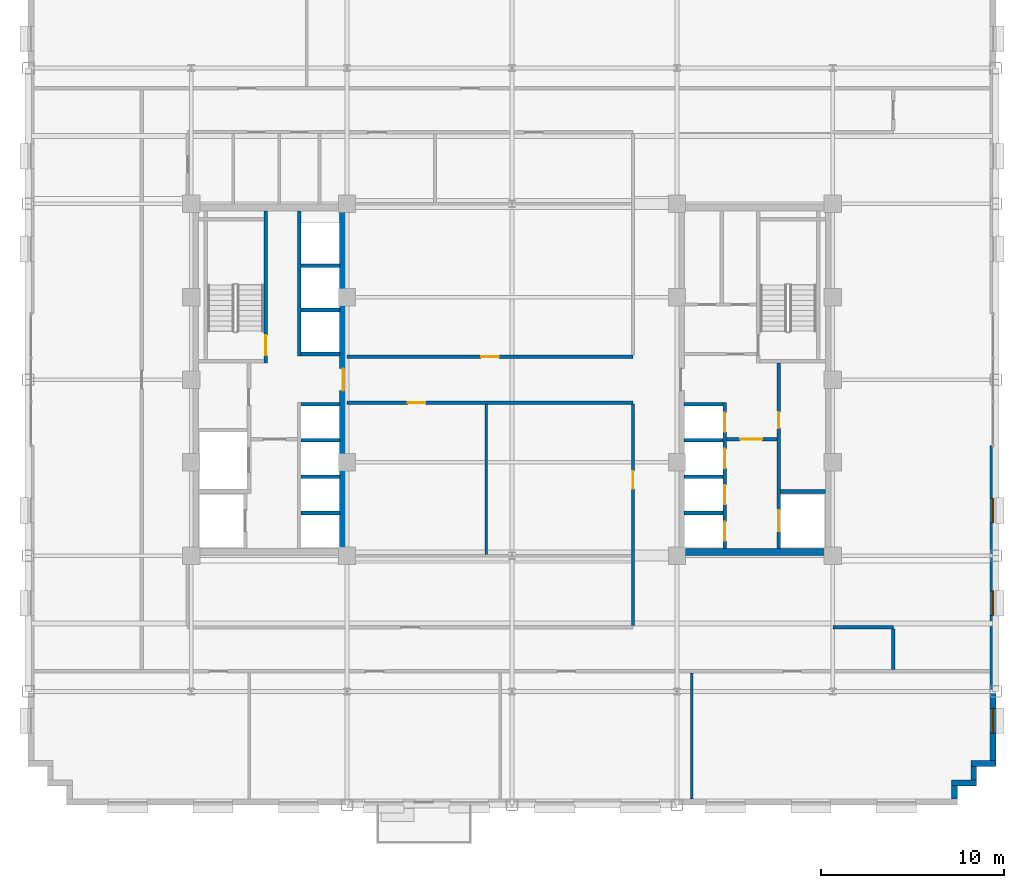
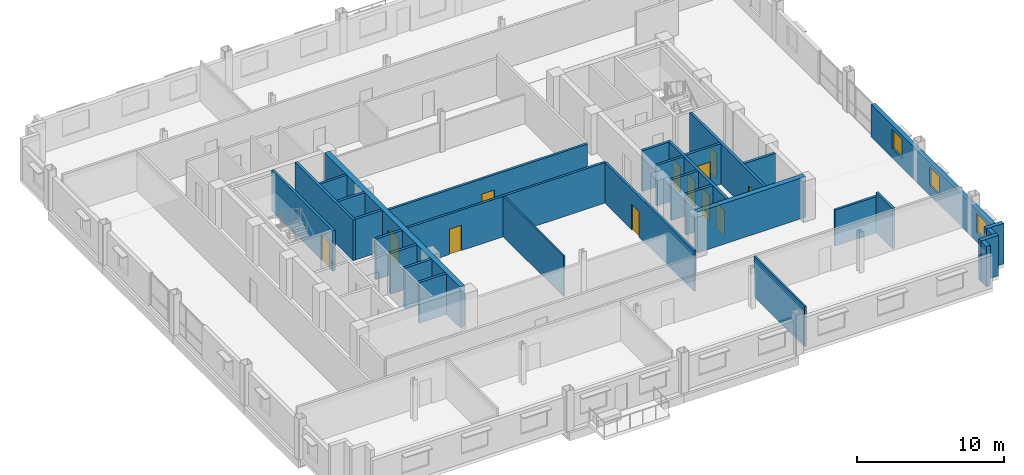
# One storey, part 7 of 15: 31 walls, 12 doors, 3 windows, 15 openings.
"""IFC4 building model written with IfcOpenShell, lengths in metres."""

from ifc_helpers import new_model, si_unit, direction, frame, frame_2d, origin, place, context, subcontext, project, spatial, rectangle, extrude, source, transform, mapped, material, layer, layer_set, type_object, type_shapes, element, fill, save


model = new_model("IFC4")

# Units and contexts
model_context = context("Model", 3, precision=1e-05, world=origin(), true_north=direction((0.0, 1.0)))
body_context = subcontext(model_context, "Body", "Model", "MODEL_VIEW")
ifc_project = project(units=[si_unit("LENGTHUNIT", "METRE"), si_unit("AREAUNIT", "SQUARE_METRE"), si_unit("VOLUMEUNIT", "CUBIC_METRE"), si_unit("PLANEANGLEUNIT", "RADIAN"), si_unit("MASSUNIT", "GRAM", prefix="KILO")], contexts=[model_context])

# Site, building, storey
site_placement = place(None, origin())
site = spatial("IfcSite", under=ifc_project, at=site_placement, CompositionType="ELEMENT")
building_placement = place(site_placement, origin())
building = spatial("IfcBuilding", under=site, at=building_placement, Name="Nuvemarco Arch Tower", CompositionType="ELEMENT")
storey_placement = place(building_placement, frame((0.0, 0.0, 123.85009765625)))
storey = spatial("IfcBuildingStorey", under=building, at=storey_placement, Name="L32", CompositionType="ELEMENT", Elevation=123.85009765625)

# Walls
ifc_material_1 = material(Name="Precast concrete C45/55", Category="concrete")
ifc_layer_1 = layer(ifc_material_1, 0.320068359375, Name="EW-MID-320")
ifc_layer_set_1 = layer_set([ifc_layer_1], Name="Precast concrete C45/55")
wall_type_1 = type_object("IfcWallType", Name="EW-MID-320", PredefinedType="STANDARD", material=ifc_layer_set_1)
wall_1_placement = place(storey_placement, frame((24.139892578125, -22.884033203125, 0.0), z_axis=(0.0, 0.0, 1.0), x_axis=(0.0, 1.0, 0.0)))
element("IfcWall", 1, at=wall_1_placement, inside=storey, type_object=wall_type_1, Name="L32 exterior precast facade wall 2", PredefinedType="STANDARD", context=body_context, shape_type="SweptSolid", body=[
    extrude(rectangle(XDim=0.738037109375, YDim=0.320068359375, at=frame_2d((0.369140625, 0.0))), origin(), (0.0, 0.0, 1.0), 3.35986328125),
])
wall_2_placement = place(storey_placement, frame((23.97998046875, -21.989990234375, 0.0), z_axis=(0.0, 0.0, 1.0), x_axis=(1.0, 0.0, 0.0)))
element("IfcWall", 2, at=wall_2_placement, inside=storey, type_object=wall_type_1, Name="L32 exterior precast facade wall 3", PredefinedType="STANDARD", context=body_context, shape_type="SweptSolid", body=[
    extrude(rectangle(XDim=1.3701171875, YDim=0.320068359375, at=frame_2d((0.68505859375, 0.0))), origin(), (0.0, 0.0, 1.0), 3.35986328125),
])
wall_3_placement = place(storey_placement, frame((25.18994140625, -21.833984375, 0.0), z_axis=(0.0, 0.0, 1.0), x_axis=(0.0, 1.0, 0.0)))
element("IfcWall", 3, at=wall_3_placement, inside=storey, type_object=wall_type_1, Name="L32 exterior precast facade wall 4", PredefinedType="STANDARD", context=body_context, shape_type="SweptSolid", body=[
    extrude(rectangle(XDim=0.738037109375, YDim=0.320068359375, at=frame_2d((0.369140625, 0.0))), origin(), (0.0, 0.0, 1.0), 3.35986328125),
])
wall_4_placement = place(storey_placement, frame((25.030029296875, -20.93994140625, 0.0), z_axis=(0.0, 0.0, 1.0), x_axis=(1.0, 0.0, 0.0)))
element("IfcWall", 4, at=wall_4_placement, inside=storey, type_object=wall_type_1, Name="L32 exterior precast facade wall 5", PredefinedType="STANDARD", context=body_context, shape_type="SweptSolid", body=[
    extrude(rectangle(XDim=1.369873046875, YDim=0.320068359375, at=frame_2d((0.68505859375, 0.0))), origin(), (0.0, 0.0, 1.0), 3.35986328125),
])

# Wall, openings, windows
wall_5_placement = place(storey_placement, frame((26.239990234375, -20.783935546875, 0.0), z_axis=(0.0, 0.0, 1.0), x_axis=(0.0, 1.0, 0.0)))
wall_5 = element("IfcWall", 5, at=wall_5_placement, inside=storey, type_object=wall_type_1, Name="L32 exterior precast pier wall east left", PredefinedType="STANDARD", context=body_context, shape_type="SweptSolid", body=[
    extrude(rectangle(XDim=17.183837890625, YDim=0.320068359375, at=frame_2d((8.591796875, 0.0))), origin(), (0.0, 0.0, 1.0), 2.704833984375),
])
opening_1_placement = place(wall_5_placement, frame((1.505615234375, 0.0, 0.800048828125)))
opening_1 = element("IfcOpeningElement", 6, at=opening_1_placement, cuts=wall_5, Name="Opening WN-6", PredefinedType="OPENING", context=body_context, shape_type="SweptSolid", body=[
    extrude(rectangle(XDim=1.35009765625, YDim=1.56005859375, at=frame_2d((0.675048828125, 0.780029296875))), frame((0.0, 0.169921875, 0.0), z_axis=(0.0, -1.0, 0.0), x_axis=(1.0, 0.0, 0.0)), (0.0, 0.0, 1.0), 0.340087890625),
])
opening_2_placement = place(wall_5_placement, frame((7.9169921875, 0.0, 0.800048828125)))
opening_2 = element("IfcOpeningElement", 7, at=opening_2_placement, cuts=wall_5, Name="Opening WN-6", PredefinedType="OPENING", context=body_context, shape_type="SweptSolid", body=[
    extrude(rectangle(XDim=1.35009765625, YDim=1.56005859375, at=frame_2d((0.675048828125, 0.780029296875))), frame((0.0, 0.169921875, 0.0), z_axis=(0.0, -1.0, 0.0), x_axis=(1.0, 0.0, 0.0)), (0.0, 0.0, 1.0), 0.340087890625),
])
opening_3_placement = place(wall_5_placement, frame((12.978271484375, 0.0, 0.800048828125)))
opening_3 = element("IfcOpeningElement", 8, at=opening_3_placement, cuts=wall_5, Name="Opening WN-6", PredefinedType="OPENING", context=body_context, shape_type="SweptSolid", body=[
    extrude(rectangle(XDim=1.35009765625, YDim=1.56005859375, at=frame_2d((0.675048828125, 0.780029296875))), frame((0.0, 0.169921875, 0.0), z_axis=(0.0, -1.0, 0.0), x_axis=(1.0, 0.0, 0.0)), (0.0, 0.0, 1.0), 0.340087890625),
])
ifc_material_2 = material(Name="Insulated solar-control glass", Category="glass")
window_type = type_object("IfcWindowType", Name="WN-MID-1350x1560", PartitioningType="SINGLE_PANEL", PredefinedType="WINDOW", material=ifc_material_2)
shared_shape_1 = source(origin(), body_context, "Body", "SweptSolid", [
    extrude(rectangle(XDim=1.35009765625, YDim=1.56005859375, at=frame_2d((0.675048828125, 0.780029296875))), frame((0.0, 0.030029296875, 0.0), z_axis=(0.0, -1.0, 0.0), x_axis=(1.0, 0.0, 0.0)), (0.0, 0.0, 1.0), 0.06005859375),
])
type_shapes(window_type, [shared_shape_1])
window_1_placement = place(opening_1_placement, origin())
window_1 = element("IfcWindow", 9, at=window_1_placement, inside=storey, type_object=window_type, Name="L32 punched facade window 1", OverallHeight=1.56005859375, OverallWidth=1.35009765625, PartitioningType="SINGLE_PANEL", PredefinedType="WINDOW", context=body_context, shape_type="MappedRepresentation", body=[
    mapped(shared_shape_1, transform((0.0, 0.0, 0.0), scale=1.0)),
])
fill(opening_1, window_1)
window_2_placement = place(opening_2_placement, origin())
window_2 = element("IfcWindow", 10, at=window_2_placement, inside=storey, type_object=window_type, Name="L32 punched facade window 2", OverallHeight=1.56005859375, OverallWidth=1.35009765625, PartitioningType="SINGLE_PANEL", PredefinedType="WINDOW", context=body_context, shape_type="MappedRepresentation", body=[
    mapped(shared_shape_1, transform((0.0, 0.0, 0.0), scale=1.0)),
])
fill(opening_2, window_2)
window_3_placement = place(opening_3_placement, origin())
window_3 = element("IfcWindow", 11, at=window_3_placement, inside=storey, type_object=window_type, Name="L32 punched facade window 3", OverallHeight=1.56005859375, OverallWidth=1.35009765625, PartitioningType="SINGLE_PANEL", PredefinedType="WINDOW", context=body_context, shape_type="MappedRepresentation", body=[
    mapped(shared_shape_1, transform((0.0, 0.0, 0.0), scale=1.0)),
])
fill(opening_3, window_3)

# Wall, opening, door
ifc_material_3 = material(Name="Concrete C60/75", Category="concrete")
ifc_layer_2 = layer(ifc_material_3, 0.39990234375, Name="WL-CORE-400")
ifc_layer_set_2 = layer_set([ifc_layer_2], Name="Concrete C60/75")
wall_type_2 = type_object("IfcWallType", Name="WL-CORE-400", PredefinedType="SHEAR", material=ifc_layer_set_2)
wall_6_placement = place(storey_placement, frame((-9.199951171875, -9.205078125, 0.0), z_axis=(0.0, 0.0, 1.0), x_axis=(0.0, 1.0, 0.0)))
wall_6 = element("IfcWall", 12, at=wall_6_placement, inside=storey, type_object=wall_type_2, Name="L32 W-core shear wall E", PredefinedType="SHEAR", context=body_context, shape_type="SweptSolid", body=[
    extrude(rectangle(XDim=18.41015625, YDim=0.39990234375, at=frame_2d((9.205078125, 0.0))), origin(), (0.0, 0.0, 1.0), 3.369873046875),
])
opening_4_placement = place(wall_6_placement, frame((8.60498046875, 0.0, 0.0)))
opening_4 = element("IfcOpeningElement", 13, at=opening_4_placement, cuts=wall_6, Name="Opening FD-2", PredefinedType="OPENING", context=body_context, shape_type="SweptSolid", body=[
    extrude(rectangle(XDim=1.199951171875, YDim=2.14990234375, at=frame_2d((0.60009765625, 1.074951171875))), frame((0.0, 0.2099609375, 0.0), z_axis=(0.0, -1.0, 0.0), x_axis=(1.0, 0.0, 0.0)), (0.0, 0.0, 1.0), 0.419921875),
])
ifc_material_4 = material(Name="Anodised steel fire door", Category="steel")
door_type_1 = type_object("IfcDoorType", Name="DR-FFLOB-FD", OperationType="NOTDEFINED", PredefinedType="DOOR", material=ifc_material_4)
shared_shape_2 = source(origin(), body_context, "Body", "SweptSolid", [
    extrude(rectangle(XDim=1.199951171875, YDim=2.14990234375, at=frame_2d((0.60009765625, 1.074951171875))), frame((0.0, 0.02490234375, 0.0), z_axis=(0.0, -1.0, 0.0), x_axis=(1.0, 0.0, 0.0)), (0.0, 0.0, 1.0), 0.050048828125),
])
type_shapes(door_type_1, [shared_shape_2])
door_1_placement = place(opening_4_placement, origin())
door_1 = element("IfcDoor", 14, at=door_1_placement, inside=storey, type_object=door_type_1, Name="L32 door FD-L32-WCORE-E", OperationType="SINGLE_SWING_RIGHT", OverallHeight=2.14990234375, OverallWidth=1.199951171875, PredefinedType="DOOR", context=body_context, shape_type="MappedRepresentation", body=[
    mapped(shared_shape_2, transform((0.0, 0.0, 0.0), scale=1.0)),
])
fill(opening_4, door_1)

# Walls
wall_7_placement = place(storey_placement, frame((9.0, -9.39990234375, 0.0), z_axis=(0.0, 0.0, 1.0), x_axis=(1.0, 0.0, 0.0)))
element("IfcWall", 15, at=wall_7_placement, inside=storey, type_object=wall_type_2, Name="L32 E-core shear wall S", PredefinedType="SHEAR", context=body_context, shape_type="SweptSolid", body=[
    extrude(rectangle(XDim=8.5, YDim=0.39990234375, at=frame_2d((4.25, 0.0))), origin(), (0.0, 0.0, 1.0), 3.369873046875),
])
ifc_material_5 = material(Name="Fire-rated gypsum drywall partition")
ifc_layer_3 = layer(ifc_material_5, 0.179931640625, Name="WL-CORR-180")
ifc_layer_set_3 = layer_set([ifc_layer_3], Name="Fire-rated gypsum drywall partition")
wall_type_3 = type_object("IfcWallType", Name="WL-CORR-180", PredefinedType="PARTITIONING", material=ifc_layer_set_3)
wall_8_placement = place(storey_placement, frame((17.5, -13.5, 0.0), z_axis=(0.0, 0.0, 1.0), x_axis=(1.0, 0.0, 0.0)))
element("IfcWall", 16, at=wall_8_placement, inside=storey, type_object=wall_type_3, Name="L32 interior wall IW-L32-003", PredefinedType="PARTITIONING", context=body_context, shape_type="SweptSolid", body=[
    extrude(rectangle(XDim=3.300048828125, YDim=0.179931640625, at=frame_2d((1.64990234375, 0.0))), origin(), (0.0, 0.0, 1.0), 2.997802734375),
])

# Wall, opening, door
wall_9_placement = place(storey_placement, frame((-9.0, -1.25, 0.0), z_axis=(0.0, 0.0, 1.0), x_axis=(1.0, 0.0, 0.0)))
wall_9 = element("IfcWall", 17, at=wall_9_placement, inside=storey, type_object=wall_type_3, Name="L32 interior wall IW-L32-006", PredefinedType="PARTITIONING", context=body_context, shape_type="SweptSolid", body=[
    extrude(rectangle(XDim=15.60009765625, YDim=0.179931640625, at=frame_2d((7.800048828125, 0.0))), origin(), (0.0, 0.0, 1.0), 3.35986328125),
])
opening_5_placement = place(wall_9_placement, frame((3.320068359375, 0.0, 0.0)))
opening_5 = element("IfcOpeningElement", 18, at=opening_5_placement, cuts=wall_9, Name="Opening FD-5", PredefinedType="OPENING", context=body_context, shape_type="SweptSolid", body=[
    extrude(rectangle(XDim=0.9599609375, YDim=2.10009765625, at=frame_2d((0.47998046875, 1.050048828125))), frame((0.0, 0.099853515625, 0.0), z_axis=(0.0, -1.0, 0.0), x_axis=(1.0, 0.0, 0.0)), (0.0, 0.0, 1.0), 0.199951171875),
])
ifc_material_6 = material(Name="Timber fire door", Category="wood")
door_type_2 = type_object("IfcDoorType", Name="DR-CORR-FD", OperationType="NOTDEFINED", PredefinedType="DOOR", material=ifc_material_6)
shared_shape_3 = source(origin(), body_context, "Body", "SweptSolid", [
    extrude(rectangle(XDim=0.9599609375, YDim=2.10009765625, at=frame_2d((0.47998046875, 1.050048828125))), frame((0.0, 0.02490234375, 0.0), z_axis=(0.0, -1.0, 0.0), x_axis=(1.0, 0.0, 0.0)), (0.0, 0.0, 1.0), 0.050048828125),
])
type_shapes(door_type_2, [shared_shape_3])
door_2_placement = place(opening_5_placement, origin())
door_2 = element("IfcDoor", 19, at=door_2_placement, inside=storey, type_object=door_type_2, Name="L32 door DR-L32-C_S1", OperationType="SINGLE_SWING_LEFT", OverallHeight=2.10009765625, OverallWidth=0.9599609375, PredefinedType="DOOR", context=body_context, shape_type="MappedRepresentation", body=[
    mapped(shared_shape_3, transform((0.0, 0.0, 0.0), scale=1.0)),
])
fill(opening_5, door_2)

wall_10_placement = place(storey_placement, frame((-9.0, 1.25, 0.0), z_axis=(0.0, 0.0, 1.0), x_axis=(1.0, 0.0, 0.0)))
wall_10 = element("IfcWall", 20, at=wall_10_placement, inside=storey, type_object=wall_type_3, Name="L32 interior wall IW-L32-007", PredefinedType="PARTITIONING", context=body_context, shape_type="SweptSolid", body=[
    extrude(rectangle(XDim=15.60009765625, YDim=0.179931640625, at=frame_2d((7.800048828125, 0.0))), origin(), (0.0, 0.0, 1.0), 3.35986328125),
])
opening_6_placement = place(wall_10_placement, frame((7.320068359375, 0.0, 0.0)))
opening_6 = element("IfcOpeningElement", 21, at=opening_6_placement, cuts=wall_10, Name="Opening FD-5", PredefinedType="OPENING", context=body_context, shape_type="SweptSolid", body=[
    extrude(rectangle(XDim=0.9599609375, YDim=2.10009765625, at=frame_2d((0.47998046875, 1.050048828125))), frame((0.0, 0.099853515625, 0.0), z_axis=(0.0, -1.0, 0.0), x_axis=(1.0, 0.0, 0.0)), (0.0, 0.0, 1.0), 0.199951171875),
])
door_3_placement = place(opening_6_placement, origin())
door_3 = element("IfcDoor", 22, at=door_3_placement, inside=storey, type_object=door_type_2, Name="L32 door DR-L32-C_N1", OperationType="SINGLE_SWING_RIGHT", OverallHeight=2.10009765625, OverallWidth=0.9599609375, PredefinedType="DOOR", context=body_context, shape_type="MappedRepresentation", body=[
    mapped(shared_shape_3, transform((0.0, 0.0, 0.0), scale=1.0)),
])
fill(opening_6, door_3)

wall_11_placement = place(storey_placement, frame((6.60009765625, -13.4140625, 0.0), z_axis=(0.0, 0.0, 1.0), x_axis=(0.0, 1.0, 0.0)))
wall_11 = element("IfcWall", 23, at=wall_11_placement, inside=storey, type_object=wall_type_3, Name="L32 interior wall IW-L32-024", PredefinedType="PARTITIONING", context=body_context, shape_type="SweptSolid", body=[
    extrude(rectangle(XDim=12.078125, YDim=0.179931640625, at=frame_2d((6.0390625, 0.0))), origin(), (0.0, 0.0, 1.0), 3.35986328125),
])
opening_7_placement = place(wall_11_placement, frame((7.466064453125, 0.0, 0.0)))
opening_7 = element("IfcOpeningElement", 24, at=opening_7_placement, cuts=wall_11, Name="Opening FD-5", PredefinedType="OPENING", context=body_context, shape_type="SweptSolid", body=[
    extrude(rectangle(XDim=0.9599609375, YDim=2.10009765625, at=frame_2d((0.47998046875, 1.050048828125))), frame((0.0, 0.099853515625, 0.0), z_axis=(0.0, -1.0, 0.0), x_axis=(1.0, 0.0, 0.0)), (0.0, 0.0, 1.0), 0.199951171875),
])
door_4_placement = place(opening_7_placement, origin())
door_4 = element("IfcDoor", 25, at=door_4_placement, inside=storey, type_object=door_type_2, Name="L32 door DR-L32-C_S2", OperationType="SINGLE_SWING_RIGHT", OverallHeight=2.10009765625, OverallWidth=0.9599609375, PredefinedType="DOOR", context=body_context, shape_type="MappedRepresentation", body=[
    mapped(shared_shape_3, transform((0.0, 0.0, 0.0), scale=1.0)),
])
fill(opening_7, door_4)

# Walls
wall_12_placement = place(storey_placement, frame((20.800048828125, -15.81396484375, 0.0), z_axis=(0.0, 0.0, 1.0), x_axis=(0.0, 1.0, 0.0)))
element("IfcWall", 26, at=wall_12_placement, inside=storey, type_object=wall_type_3, Name="L32 interior wall IW-L32-027", PredefinedType="PARTITIONING", context=body_context, shape_type="SweptSolid", body=[
    extrude(rectangle(XDim=2.22802734375, YDim=0.179931640625, at=frame_2d((1.114013671875, 0.0))), origin(), (0.0, 0.0, 1.0), 3.35986328125),
])
ifc_material_7 = material(Name="Glazed acoustic office partition")
ifc_layer_4 = layer(ifc_material_7, 0.1298828125, Name="WL-EXEC-130")
ifc_layer_set_4 = layer_set([ifc_layer_4], Name="Glazed acoustic office partition")
wall_type_4 = type_object("IfcWallType", Name="WL-EXEC-130", PredefinedType="PARTITIONING", material=ifc_layer_set_4)
wall_13_placement = place(storey_placement, frame((-1.39990234375, -9.52392578125, 0.0), z_axis=(0.0, 0.0, 1.0), x_axis=(0.0, 1.0, 0.0)))
element("IfcWall", 27, at=wall_13_placement, inside=storey, type_object=wall_type_4, Name="L32 interior wall IW-L32-022", PredefinedType="PARTITIONING", context=body_context, shape_type="SweptSolid", body=[
    extrude(rectangle(XDim=8.18798828125, YDim=0.1298828125, at=frame_2d((4.093994140625, 0.0))), origin(), (0.0, 0.0, 1.0), 3.35986328125),
])
ifc_material_8 = material(Name="Gypsum plasterboard partition")
ifc_layer_5 = layer(ifc_material_8, 0.139892578125, Name="WL-ROOM-140")
ifc_layer_set_5 = layer_set([ifc_layer_5], Name="Gypsum plasterboard partition")
wall_type_5 = type_object("IfcWallType", Name="WL-ROOM-140", PredefinedType="PARTITIONING", material=ifc_layer_set_5)
wall_14_placement = place(storey_placement, frame((9.81005859375, -22.8798828125, 0.0), z_axis=(0.0, 0.0, 1.0), x_axis=(0.0, 1.0, 0.0)))
element("IfcWall", 28, at=wall_14_placement, inside=storey, type_object=wall_type_5, Name="L32 interior wall IW-L32-026", PredefinedType="PARTITIONING", context=body_context, shape_type="SweptSolid", body=[
    extrude(rectangle(XDim=6.893798828125, YDim=0.139892578125, at=frame_2d((3.44677734375, 0.0))), origin(), (0.0, 0.0, 1.0), 3.35986328125),
])

# Wall, opening, door
ifc_material_9 = material(Name="Concrete C50/60", Category="concrete")
ifc_layer_6 = layer(ifc_material_9, 0.199951171875, Name="WL-SHAFT-220")
ifc_layer_set_6 = layer_set([ifc_layer_6], Name="Concrete C50/60")
wall_type_6 = type_object("IfcWallType", Name="WL-SHAFT-220", PredefinedType="SHEAR", material=ifc_layer_set_6)
wall_15_placement = place(storey_placement, frame((-13.43994140625, 0.89990234375, 0.0), z_axis=(0.0, 0.0, 1.0), x_axis=(0.0, 1.0, 0.0)))
wall_15 = element("IfcWall", 29, at=wall_15_placement, inside=storey, type_object=wall_type_6, Name="L32 structural shaft wall SW-L32-W-ST1E", PredefinedType="SHEAR", context=body_context, shape_type="SweptSolid", body=[
    extrude(rectangle(XDim=8.30517578125, YDim=0.199951171875, at=frame_2d((4.152587890625, 0.0))), origin(), (0.0, 0.0, 1.0), 3.369873046875),
])
opening_8_placement = place(wall_15_placement, frame((1.530029296875, 0.0, 0.0), z_axis=(0.0, 0.0, 1.0), x_axis=(-1.0, 0.0, 0.0)))
opening_8 = element("IfcOpeningElement", 30, at=opening_8_placement, cuts=wall_15, Name="Opening FD-1", PredefinedType="OPENING", context=body_context, shape_type="SweptSolid", body=[
    extrude(rectangle(XDim=1.10009765625, YDim=2.14990234375, at=frame_2d((0.550048828125, 1.074951171875))), frame((0.0, 0.10986328125, 0.0), z_axis=(0.0, -1.0, 0.0), x_axis=(1.0, 0.0, 0.0)), (0.0, 0.0, 1.0), 0.219970703125),
])
door_type_3 = type_object("IfcDoorType", Name="DR-STAIR-FD", OperationType="NOTDEFINED", PredefinedType="DOOR", material=ifc_material_4)
shared_shape_4 = source(origin(), body_context, "Body", "SweptSolid", [
    extrude(rectangle(XDim=1.10009765625, YDim=2.14990234375, at=frame_2d((0.550048828125, 1.074951171875))), frame((0.0, 0.02490234375, 0.0), z_axis=(0.0, -1.0, 0.0), x_axis=(1.0, 0.0, 0.0)), (0.0, 0.0, 1.0), 0.050048828125),
])
type_shapes(door_type_3, [shared_shape_4])
door_5_placement = place(opening_8_placement, origin())
door_5 = element("IfcDoor", 31, at=door_5_placement, inside=storey, type_object=door_type_3, Name="L32 door FD-L32-ST1", OperationType="SINGLE_SWING_RIGHT", OverallHeight=2.14990234375, OverallWidth=1.10009765625, PredefinedType="DOOR", context=body_context, shape_type="MappedRepresentation", body=[
    mapped(shared_shape_4, transform((0.0, 0.0, 0.0), scale=1.0)),
])
fill(opening_8, door_5)

# Walls
for number, where, z_axis, x_axis, name in (
    (32, (-11.5048828125, -7.27001953125, 0.0), (0.0, 0.0, 1.0), (1.0, 0.0, 0.0), "L32 structural shaft wall SW-L32-W-PLD1"),
    (33, (-11.5048828125, -5.2900390625, 0.0), (0.0, 0.0, 1.0), (1.0, 0.0, 0.0), "L32 structural shaft wall SW-L32-W-PLD2"),
    (34, (-11.5048828125, -3.31005859375, 0.0), (0.0, 0.0, 1.0), (1.0, 0.0, 0.0), "L32 structural shaft wall SW-L32-W-PLD3"),
    (35, (-11.5048828125, -1.330078125, 0.0), (0.0, 0.0, 1.0), (1.0, 0.0, 0.0), "L32 structural shaft wall SW-L32-W-PLD4"),
):
    element("IfcWall", number, at=place(storey_placement, frame(where, z_axis=z_axis, x_axis=x_axis)), inside=storey, type_object=wall_type_6, Name=name, PredefinedType="SHEAR", context=body_context, shape_type="SweptSolid", body=[
        extrude(rectangle(XDim=2.10986328125, YDim=0.199951171875, at=frame_2d((1.054931640625, 0.0))), origin(), (0.0, 0.0, 1.0), 3.369873046875),
    ])
wall_16_placement = place(storey_placement, frame((-11.60009765625, 1.300048828125, 0.0), z_axis=(0.0, 0.0, 1.0), x_axis=(0.0, 1.0, 0.0)))
element("IfcWall", 36, at=wall_16_placement, inside=storey, type_object=wall_type_6, Name="L32 structural shaft wall SW-L32-W-PHW", PredefinedType="SHEAR", context=body_context, shape_type="SweptSolid", body=[
    extrude(rectangle(XDim=7.905029296875, YDim=0.199951171875, at=frame_2d((3.95263671875, 0.0))), origin(), (0.0, 0.0, 1.0), 3.369873046875),
])
for number, where, z_axis, x_axis, name in (
    (37, (-11.5048828125, 1.39990234375, 0.0), (0.0, 0.0, 1.0), (1.0, 0.0, 0.0), "L32 structural shaft wall SW-L32-W-PHD1"),
    (38, (-11.5048828125, 3.800048828125, 0.0), (0.0, 0.0, 1.0), (1.0, 0.0, 0.0), "L32 structural shaft wall SW-L32-W-PHD2"),
    (39, (-11.5048828125, 6.219970703125, 0.0), (0.0, 0.0, 1.0), (1.0, 0.0, 0.0), "L32 structural shaft wall SW-L32-W-PHD3"),
):
    element("IfcWall", number, at=place(storey_placement, frame(where, z_axis=z_axis, x_axis=x_axis)), inside=storey, type_object=wall_type_6, Name=name, PredefinedType="SHEAR", context=body_context, shape_type="SweptSolid", body=[
        extrude(rectangle(XDim=2.10986328125, YDim=0.199951171875, at=frame_2d((1.054931640625, 0.0))), origin(), (0.0, 0.0, 1.0), 3.369873046875),
    ])

# Wall, openings, doors
wall_17_placement = place(storey_placement, frame((14.550048828125, -9.205078125, 0.0), z_axis=(0.0, 0.0, 1.0), x_axis=(0.0, 1.0, 0.0)))
wall_17 = element("IfcWall", 40, at=wall_17_placement, inside=storey, type_object=wall_type_6, Name="L32 structural shaft wall SW-L32-E-SHW", PredefinedType="SHEAR", context=body_context, shape_type="SweptSolid", body=[
    extrude(rectangle(XDim=10.110107421875, YDim=0.199951171875, at=frame_2d((5.05517578125, 0.0))), origin(), (0.0, 0.0, 1.0), 3.369873046875),
])
opening_9_placement = place(wall_17_placement, frame((6.56494140625, 0.0, 0.0)))
opening_9 = element("IfcOpeningElement", 41, at=opening_9_placement, cuts=wall_17, Name="Opening FD-4", PredefinedType="OPENING", context=body_context, shape_type="SweptSolid", body=[
    extrude(rectangle(XDim=0.8798828125, YDim=2.10009765625, at=frame_2d((0.43994140625, 1.050048828125))), frame((0.0, 0.10986328125, 0.0), z_axis=(0.0, -1.0, 0.0), x_axis=(1.0, 0.0, 0.0)), (0.0, 0.0, 1.0), 0.219970703125),
])
opening_10_placement = place(wall_17_placement, frame((0.929931640625, 0.0, 0.0)))
opening_10 = element("IfcOpeningElement", 42, at=opening_10_placement, cuts=wall_17, Name="Opening LD-2", PredefinedType="OPENING", context=body_context, shape_type="SweptSolid", body=[
    extrude(rectangle(XDim=1.14990234375, YDim=2.14990234375, at=frame_2d((0.574951171875, 1.074951171875))), frame((0.0, 0.10986328125, 0.0), z_axis=(0.0, -1.0, 0.0), x_axis=(1.0, 0.0, 0.0)), (0.0, 0.0, 1.0), 0.219970703125),
])
door_type_4 = type_object("IfcDoorType", Name="DR-RISER-FD", OperationType="NOTDEFINED", PredefinedType="DOOR", material=ifc_material_4)
shared_shape_5 = source(origin(), body_context, "Body", "SweptSolid", [
    extrude(rectangle(XDim=0.8798828125, YDim=2.10009765625, at=frame_2d((0.43994140625, 1.050048828125))), frame((0.0, 0.02490234375, 0.0), z_axis=(0.0, -1.0, 0.0), x_axis=(1.0, 0.0, 0.0)), (0.0, 0.0, 1.0), 0.050048828125),
])
type_shapes(door_type_4, [shared_shape_5])
door_6_placement = place(opening_9_placement, origin())
door_6 = element("IfcDoor", 43, at=door_6_placement, inside=storey, type_object=door_type_4, Name="L32 door FD-L32-ERIS", OperationType="SINGLE_SWING_LEFT", OverallHeight=2.10009765625, OverallWidth=0.8798828125, PredefinedType="DOOR", context=body_context, shape_type="MappedRepresentation", body=[
    mapped(shared_shape_5, transform((0.0, 0.0, 0.0), scale=1.0)),
])
fill(opening_9, door_6)
ifc_material_10 = material(Name="Stainless steel lift door", Category="steel")
door_type_5 = type_object("IfcDoorType", Name="DR-LIFT-FIRE", OperationType="DOUBLE_DOOR_SLIDING", PredefinedType="DOOR", material=ifc_material_10)
shared_shape_6 = source(origin(), body_context, "Body", "SweptSolid", [
    extrude(rectangle(XDim=1.14990234375, YDim=2.14990234375, at=frame_2d((0.574951171875, 1.074951171875))), frame((0.0, 0.02490234375, 0.0), z_axis=(0.0, -1.0, 0.0), x_axis=(1.0, 0.0, 0.0)), (0.0, 0.0, 1.0), 0.050048828125),
])
type_shapes(door_type_5, [shared_shape_6])
door_7_placement = place(opening_10_placement, origin())
door_7 = element("IfcDoor", 44, at=door_7_placement, inside=storey, type_object=door_type_5, Name="L32 Lift landing sliding door FFL-2", OperationType="DOUBLE_DOOR_SLIDING", OverallHeight=2.14990234375, OverallWidth=1.14990234375, PredefinedType="DOOR", context=body_context, shape_type="MappedRepresentation", body=[
    mapped(shared_shape_6, transform((0.0, 0.0, 0.0), scale=1.0)),
])
fill(opening_10, door_7)

# Wall
wall_18_placement = place(storey_placement, frame((14.64501953125, -6.10009765625, 0.0), z_axis=(0.0, 0.0, 1.0), x_axis=(1.0, 0.0, 0.0)))
element("IfcWall", 45, at=wall_18_placement, inside=storey, type_object=wall_type_6, Name="L32 structural shaft wall SW-L32-E-SH1", PredefinedType="SHEAR", context=body_context, shape_type="SweptSolid", body=[
    extrude(rectangle(XDim=2.4599609375, YDim=0.199951171875, at=frame_2d((1.22998046875, 0.0))), origin(), (0.0, 0.0, 1.0), 3.369873046875),
])

# Wall, openings, doors
wall_19_placement = place(storey_placement, frame((11.60009765625, -9.205078125, 0.0), z_axis=(0.0, 0.0, 1.0), x_axis=(0.0, 1.0, 0.0)))
wall_19 = element("IfcWall", 46, at=wall_19_placement, inside=storey, type_object=wall_type_6, Name="L32 structural shaft wall SW-L32-E-PME", PredefinedType="SHEAR", context=body_context, shape_type="SweptSolid", body=[
    extrude(rectangle(XDim=7.97509765625, YDim=0.199951171875, at=frame_2d((3.987548828125, 0.0))), origin(), (0.0, 0.0, 1.0), 3.369873046875),
])
opening_11_placement = place(wall_19_placement, frame((0.419921875, 0.0, 0.0)))
opening_11 = element("IfcOpeningElement", 47, at=opening_11_placement, cuts=wall_19, Name="Opening LD-1", PredefinedType="OPENING", context=body_context, shape_type="SweptSolid", body=[
    extrude(rectangle(XDim=1.050048828125, YDim=2.14990234375, at=frame_2d((0.52490234375, 1.074951171875))), frame((0.0, 0.10986328125, 0.0), z_axis=(0.0, -1.0, 0.0), x_axis=(1.0, 0.0, 0.0)), (0.0, 0.0, 1.0), 0.219970703125),
])
opening_12_placement = place(wall_19_placement, frame((2.39990234375, 0.0, 0.0)))
opening_12 = element("IfcOpeningElement", 48, at=opening_12_placement, cuts=wall_19, Name="Opening LD-1", PredefinedType="OPENING", context=body_context, shape_type="SweptSolid", body=[
    extrude(rectangle(XDim=1.050048828125, YDim=2.14990234375, at=frame_2d((0.52490234375, 1.074951171875))), frame((0.0, 0.10986328125, 0.0), z_axis=(0.0, -1.0, 0.0), x_axis=(1.0, 0.0, 0.0)), (0.0, 0.0, 1.0), 0.219970703125),
])
opening_13_placement = place(wall_19_placement, frame((4.3798828125, 0.0, 0.0)))
opening_13 = element("IfcOpeningElement", 49, at=opening_13_placement, cuts=wall_19, Name="Opening LD-1", PredefinedType="OPENING", context=body_context, shape_type="SweptSolid", body=[
    extrude(rectangle(XDim=1.050048828125, YDim=2.14990234375, at=frame_2d((0.52490234375, 1.074951171875))), frame((0.0, 0.10986328125, 0.0), z_axis=(0.0, -1.0, 0.0), x_axis=(1.0, 0.0, 0.0)), (0.0, 0.0, 1.0), 0.219970703125),
])
opening_14_placement = place(wall_19_placement, frame((6.360107421875, 0.0, 0.0)))
opening_14 = element("IfcOpeningElement", 50, at=opening_14_placement, cuts=wall_19, Name="Opening LD-1", PredefinedType="OPENING", context=body_context, shape_type="SweptSolid", body=[
    extrude(rectangle(XDim=1.050048828125, YDim=2.14990234375, at=frame_2d((0.52490234375, 1.074951171875))), frame((0.0, 0.10986328125, 0.0), z_axis=(0.0, -1.0, 0.0), x_axis=(1.0, 0.0, 0.0)), (0.0, 0.0, 1.0), 0.219970703125),
])
door_type_6 = type_object("IfcDoorType", Name="DR-LIFT-PASS", OperationType="DOUBLE_DOOR_SLIDING", PredefinedType="DOOR", material=ifc_material_10)
shared_shape_7 = source(origin(), body_context, "Body", "SweptSolid", [
    extrude(rectangle(XDim=1.050048828125, YDim=2.14990234375, at=frame_2d((0.52490234375, 1.074951171875))), frame((0.0, 0.02490234375, 0.0), z_axis=(0.0, -1.0, 0.0), x_axis=(1.0, 0.0, 0.0)), (0.0, 0.0, 1.0), 0.050048828125),
])
type_shapes(door_type_6, [shared_shape_7])
door_8_placement = place(opening_11_placement, origin())
door_8 = element("IfcDoor", 51, at=door_8_placement, inside=storey, type_object=door_type_6, Name="L32 Lift landing sliding door PM-1", OperationType="DOUBLE_DOOR_SLIDING", OverallHeight=2.14990234375, OverallWidth=1.050048828125, PredefinedType="DOOR", context=body_context, shape_type="MappedRepresentation", body=[
    mapped(shared_shape_7, transform((0.0, 0.0, 0.0), scale=1.0)),
])
fill(opening_11, door_8)
door_9_placement = place(opening_12_placement, origin())
door_9 = element("IfcDoor", 52, at=door_9_placement, inside=storey, type_object=door_type_6, Name="L32 Lift landing sliding door PM-2", OperationType="DOUBLE_DOOR_SLIDING", OverallHeight=2.14990234375, OverallWidth=1.050048828125, PredefinedType="DOOR", context=body_context, shape_type="MappedRepresentation", body=[
    mapped(shared_shape_7, transform((0.0, 0.0, 0.0), scale=1.0)),
])
fill(opening_12, door_9)
door_10_placement = place(opening_13_placement, origin())
door_10 = element("IfcDoor", 53, at=door_10_placement, inside=storey, type_object=door_type_6, Name="L32 Lift landing sliding door PM-3", OperationType="DOUBLE_DOOR_SLIDING", OverallHeight=2.14990234375, OverallWidth=1.050048828125, PredefinedType="DOOR", context=body_context, shape_type="MappedRepresentation", body=[
    mapped(shared_shape_7, transform((0.0, 0.0, 0.0), scale=1.0)),
])
fill(opening_13, door_10)
door_11_placement = place(opening_14_placement, origin())
door_11 = element("IfcDoor", 54, at=door_11_placement, inside=storey, type_object=door_type_6, Name="L32 Lift landing sliding door PM-4", OperationType="DOUBLE_DOOR_SLIDING", OverallHeight=2.14990234375, OverallWidth=1.050048828125, PredefinedType="DOOR", context=body_context, shape_type="MappedRepresentation", body=[
    mapped(shared_shape_7, transform((0.0, 0.0, 0.0), scale=1.0)),
])
fill(opening_14, door_11)

# Wall, opening, door
wall_20_placement = place(storey_placement, frame((11.695068359375, -3.25, 0.0), z_axis=(0.0, 0.0, 1.0), x_axis=(1.0, 0.0, 0.0)))
wall_20 = element("IfcWall", 55, at=wall_20_placement, inside=storey, type_object=wall_type_6, Name="L32 structural shaft wall SW-L32-E-FFN", PredefinedType="SHEAR", context=body_context, shape_type="SweptSolid", body=[
    extrude(rectangle(XDim=2.760009765625, YDim=0.199951171875, at=frame_2d((1.3798828125, 0.0))), origin(), (0.0, 0.0, 1.0), 3.369873046875),
])
opening_15_placement = place(wall_20_placement, frame((0.7548828125, 0.0, 0.0)))
opening_15 = element("IfcOpeningElement", 56, at=opening_15_placement, cuts=wall_20, Name="Opening FD-2", PredefinedType="OPENING", context=body_context, shape_type="SweptSolid", body=[
    extrude(rectangle(XDim=1.199951171875, YDim=2.14990234375, at=frame_2d((0.60009765625, 1.074951171875))), frame((0.0, 0.10986328125, 0.0), z_axis=(0.0, -1.0, 0.0), x_axis=(1.0, 0.0, 0.0)), (0.0, 0.0, 1.0), 0.219970703125),
])
door_12_placement = place(opening_15_placement, origin())
door_12 = element("IfcDoor", 57, at=door_12_placement, inside=storey, type_object=door_type_1, Name="L32 door FD-L32-EFF2", OperationType="SINGLE_SWING_LEFT", OverallHeight=2.14990234375, OverallWidth=1.199951171875, PredefinedType="DOOR", context=body_context, shape_type="MappedRepresentation", body=[
    mapped(shared_shape_2, transform((0.0, 0.0, 0.0), scale=1.0)),
])
fill(opening_15, door_12)

# Walls
for number, where, z_axis, x_axis, name in (
    (58, (9.39501953125, -7.27001953125, 0.0), (0.0, 0.0, 1.0), (1.0, 0.0, 0.0), "L32 structural shaft wall SW-L32-E-PMD1"),
    (59, (9.39501953125, -5.2900390625, 0.0), (0.0, 0.0, 1.0), (1.0, 0.0, 0.0), "L32 structural shaft wall SW-L32-E-PMD2"),
    (60, (9.39501953125, -3.31005859375, 0.0), (0.0, 0.0, 1.0), (1.0, 0.0, 0.0), "L32 structural shaft wall SW-L32-E-PMD3"),
    (61, (9.39501953125, -1.330078125, 0.0), (0.0, 0.0, 1.0), (1.0, 0.0, 0.0), "L32 structural shaft wall SW-L32-E-PMD4"),
):
    element("IfcWall", number, at=place(storey_placement, frame(where, z_axis=z_axis, x_axis=x_axis)), inside=storey, type_object=wall_type_6, Name=name, PredefinedType="SHEAR", context=body_context, shape_type="SweptSolid", body=[
        extrude(rectangle(XDim=2.10986328125, YDim=0.199951171875, at=frame_2d((1.054931640625, 0.0))), origin(), (0.0, 0.0, 1.0), 3.369873046875),
    ])

save(model, "model.ifc")
